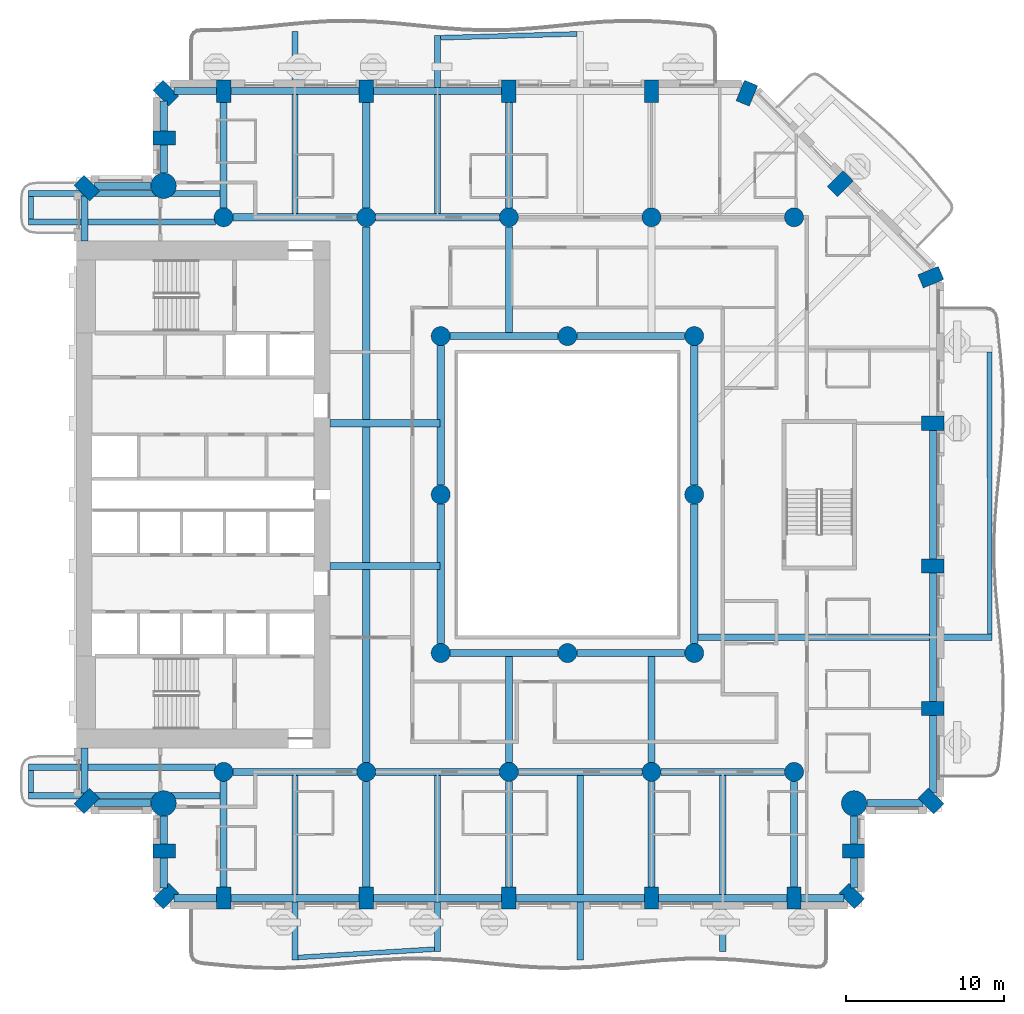
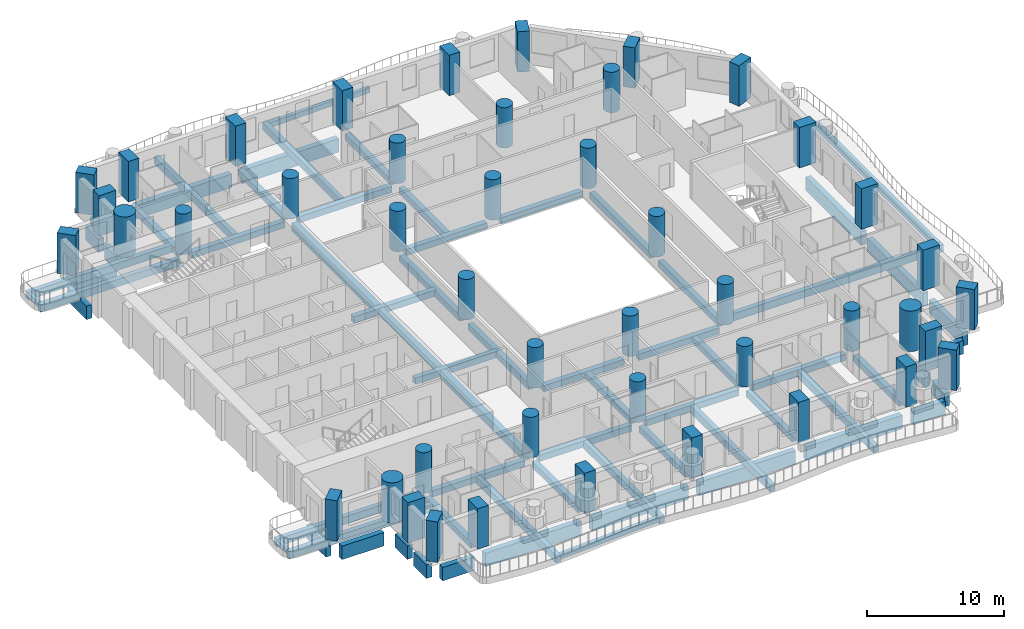
# One storey, part 1 of 20: 69 beams, 45 columns.
"""IFC4 building model written with IfcOpenShell, lengths in metres."""

from ifc_helpers import new_model, si_unit, direction, frame, origin, origin_2d, place, context, subcontext, project, spatial, rectangle, circle, extrude, material, material_profile, profile_set, type_object, element, save


model = new_model("IFC4")

# Units and contexts
model_context = context("Model", 3, precision=1e-05, world=origin(), true_north=direction((0.0, 1.0)))
body_context = subcontext(model_context, "Body", "Model", "MODEL_VIEW")
ifc_project = project(units=[si_unit("LENGTHUNIT", "METRE"), si_unit("AREAUNIT", "SQUARE_METRE"), si_unit("VOLUMEUNIT", "CUBIC_METRE"), si_unit("PLANEANGLEUNIT", "RADIAN"), si_unit("MASSUNIT", "GRAM", prefix="KILO")], contexts=[model_context])

# Site, building, storey
site_placement = place(None, origin())
site = spatial("IfcSite", under=ifc_project, at=site_placement, CompositionType="ELEMENT")
building_placement = place(site_placement, origin())
building = spatial("IfcBuilding", under=site, at=building_placement, Name="Cypress Arch Tower", CompositionType="ELEMENT")
storey_placement = place(building_placement, frame((0.0, 0.0, 91.5)))
storey = spatial("IfcBuildingStorey", under=building, at=storey_placement, Name="L17", CompositionType="ELEMENT", Elevation=91.5)

# Columns
ifc_material_1 = material(Name="Concrete C80/95", Category="concrete")
ifc_material_profile_1 = material_profile(ifc_material_1, rectangle(XDim=0.89990234375, YDim=1.39990234375, at=origin_2d()), Name="RC 900x1400")
ifc_profile_set_1 = profile_set([ifc_material_profile_1], Name="Concrete C80/95")
column_type_1 = type_object("IfcColumnType", Name="Column RC 900x1400 Concrete C80/95", PredefinedType="COLUMN", material=ifc_profile_set_1)
for number, where, z_axis, x_axis, name in (
    (1, (-29.3369140625, 19.3369140625, 0.0), (0.0, 0.0, 1.0), (-0.707106781187, -0.707106781187, 0.0), "Column L17 CA00"),
    (2, (-29.3369140625, -19.3369140625, 0.0), (0.0, 0.0, 1.0), (0.707106781187, -0.707106781187, 0.0), "Column L17 CA01"),
    (3, (-24.449951171875, -22.5, 0.0), (0.0, 0.0, 1.0), (0.0, -1.0, 0.0), "Column L17 CA03"),
    (4, (-24.3369140625, -25.3369140625, 0.0), (0.0, 0.0, 1.0), (0.707106781187, -0.707106781187, 0.0), "Column L17 CA04"),
    (5, (-20.699951171875, -25.449951171875, 0.0), (0.0, 0.0, 1.0), (1.0, 0.0, 0.0), "Column L17 CA05"),
    (6, (-11.699951171875, -25.449951171875, 0.0), (0.0, 0.0, 1.0), (1.0, 0.0, 0.0), "Column L17 CA06"),
    (7, (-2.699951171875, -25.449951171875, 0.0), (0.0, 0.0, 1.0), (1.0, 0.0, 0.0), "Column L17 CA07"),
    (8, (6.300048828125, -25.449951171875, 0.0), (0.0, 0.0, 1.0), (1.0, 0.0, 0.0), "Column L17 CA08"),
    (9, (15.300048828125, -25.449951171875, 0.0), (0.0, 0.0, 1.0), (1.0, 0.0, 0.0), "Column L17 CA09"),
    (10, (18.936767578125, -25.3369140625, 0.0), (0.0, 0.0, 1.0), (0.707106781187, 0.707106781187, 0.0), "Column L17 CA10"),
    (11, (19.050048828125, -22.5, 0.0), (0.0, 0.0, 1.0), (0.0, 1.0, 0.0), "Column L17 CA11"),
    (12, (23.936767578125, -19.3369140625, 0.0), (0.0, 0.0, 1.0), (0.707106781187, 0.707106781187, 0.0), "Column L17 CA13"),
    (13, (24.050048828125, -13.5, 0.0), (0.0, 0.0, 1.0), (0.0, 1.0, 0.0), "Column L17 CA14"),
    (14, (24.050048828125, -4.5, 0.0), (0.0, 0.0, 1.0), (0.0, 1.0, 0.0), "Column L17 CA15"),
    (15, (24.050048828125, 4.5, 0.0), (0.0, 0.0, 1.0), (0.0, 1.0, 0.0), "Column L17 CA16"),
    (16, (23.93115234375, 13.722900390625, 0.0), (0.0, 0.0, 1.0), (-0.382683496864, 0.923879505795, 0.0), "Column L17 CA17"),
    (17, (18.211181640625, 19.611083984375, 0.0), (0.0, 0.0, 1.0), (-0.707106781187, 0.707106781187, 0.0), "Column L17 CA18"),
    (18, (12.322998046875, 25.3310546875, 0.0), (0.0, 0.0, 1.0), (-0.923879505795, 0.382683496864, 0.0), "Column L17 CA19"),
    (19, (6.300048828125, 25.449951171875, 0.0), (0.0, 0.0, 1.0), (-1.0, 0.0, 0.0), "Column L17 CA20"),
    (20, (-2.699951171875, 25.449951171875, 0.0), (0.0, 0.0, 1.0), (-1.0, 0.0, 0.0), "Column L17 CA21"),
    (21, (-11.699951171875, 25.449951171875, 0.0), (0.0, 0.0, 1.0), (-1.0, 0.0, 0.0), "Column L17 CA22"),
    (22, (-20.699951171875, 25.449951171875, 0.0), (0.0, 0.0, 1.0), (-1.0, 0.0, 0.0), "Column L17 CA23"),
    (23, (-24.3369140625, 25.3369140625, 0.0), (0.0, 0.0, 1.0), (-0.707106781187, -0.707106781187, 0.0), "Column L17 CA24"),
    (24, (-24.449951171875, 22.5, 0.0), (0.0, 0.0, 1.0), (0.0, -1.0, 0.0), "Column L17 CA25"),
):
    element("IfcColumn", number, at=place(storey_placement, frame(where, z_axis=z_axis, x_axis=x_axis)), inside=storey, type_object=column_type_1, Name=name, PredefinedType="COLUMN", context=body_context, shape_type="SweptSolid", body=[
        extrude(rectangle(XDim=0.89990234375, YDim=1.39990234375, at=origin_2d()), origin(), (0.0, 0.0, 1.0), 3.60009765625),
    ])
ifc_material_2 = material(Name="Concrete C80/95", Category="concrete")
ifc_material_profile_2 = material_profile(ifc_material_2, circle(Radius=0.60009765625, at=origin_2d()), Name="RC D1200")
ifc_profile_set_2 = profile_set([ifc_material_profile_2], Name="Concrete C80/95")
column_type_2 = type_object("IfcColumnType", Name="Column RC D1200 Concrete C80/95", PredefinedType="COLUMN", material=ifc_profile_set_2)
for number, where, z_axis, x_axis, name in (
    (25, (-20.699951171875, -17.5, 0.0), (0.0, 0.0, 1.0), (1.0, 0.0, 0.0), "Column L17 CIC-L17-CI3S"),
    (26, (-11.699951171875, -17.5, 0.0), (0.0, 0.0, 1.0), (1.0, 0.0, 0.0), "Column L17 CIC-L17-CI4S"),
    (27, (-2.699951171875, -17.5, 0.0), (0.0, 0.0, 1.0), (1.0, 0.0, 0.0), "Column L17 CIC-L17-CI5S"),
    (28, (6.300048828125, -17.5, 0.0), (0.0, 0.0, 1.0), (1.0, 0.0, 0.0), "Column L17 CIC-L17-CI6S"),
    (29, (15.300048828125, -17.5, 0.0), (0.0, 0.0, 1.0), (1.0, 0.0, 0.0), "Column L17 CIC-L17-CI7S"),
    (30, (-20.699951171875, 17.5, 0.0), (0.0, 0.0, 1.0), (1.0, 0.0, 0.0), "Column L17 CIC-L17-CI3N"),
    (31, (-11.699951171875, 17.5, 0.0), (0.0, 0.0, 1.0), (1.0, 0.0, 0.0), "Column L17 CIC-L17-CI4N"),
    (32, (-2.699951171875, 17.5, 0.0), (0.0, 0.0, 1.0), (1.0, 0.0, 0.0), "Column L17 CIC-L17-CI5N"),
    (33, (6.300048828125, 17.5, 0.0), (0.0, 0.0, 1.0), (1.0, 0.0, 0.0), "Column L17 CIC-L17-CI6N"),
    (34, (15.300048828125, 17.5, 0.0), (0.0, 0.0, 1.0), (1.0, 0.0, 0.0), "Column L17 CIC-L17-CI7N"),
    (35, (-7.0, -10.0, 0.0), (0.0, 0.0, 1.0), (1.0, 0.0, 0.0), "Column L17 RNG-L17-G-7-10"),
    (36, (-7.0, 0.0, 0.0), (0.0, 0.0, 1.0), (1.0, 0.0, 0.0), "Column L17 RNG-L17-G-7+0"),
    (37, (-7.0, 10.0, 0.0), (0.0, 0.0, 1.0), (1.0, 0.0, 0.0), "Column L17 RNG-L17-G-7+10"),
    (38, (1.0, -10.0, 0.0), (0.0, 0.0, 1.0), (1.0, 0.0, 0.0), "Column L17 RNG-L17-G+1-10"),
    (39, (1.0, 10.0, 0.0), (0.0, 0.0, 1.0), (1.0, 0.0, 0.0), "Column L17 RNG-L17-G+1+10"),
    (40, (9.0, -10.0, 0.0), (0.0, 0.0, 1.0), (1.0, 0.0, 0.0), "Column L17 RNG-L17-G+9-10"),
    (41, (9.0, 0.0, 0.0), (0.0, 0.0, 1.0), (1.0, 0.0, 0.0), "Column L17 RNG-L17-G+9+0"),
    (42, (9.0, 10.0, 0.0), (0.0, 0.0, 1.0), (1.0, 0.0, 0.0), "Column L17 RNG-L17-G+9+10"),
):
    element("IfcColumn", number, at=place(storey_placement, frame(where, z_axis=z_axis, x_axis=x_axis)), inside=storey, type_object=column_type_2, Name=name, PredefinedType="COLUMN", context=body_context, shape_type="SweptSolid", body=[
        extrude(circle(Radius=0.60009765625, at=origin_2d()), origin(), (0.0, 0.0, 1.0), 3.60009765625),
    ])
ifc_material_3 = material(Name="Concrete C80/95", Category="concrete")
ifc_material_profile_3 = material_profile(ifc_material_3, circle(Radius=0.800048828125, at=origin_2d()), Name="RC D1600")
ifc_profile_set_3 = profile_set([ifc_material_profile_3], Name="Concrete C80/95")
column_type_3 = type_object("IfcColumnType", Name="Mega-column RC D1600 Concrete C80/95", PredefinedType="COLUMN", material=ifc_profile_set_3)
for number, where, z_axis, x_axis, name in (
    (43, (-24.48779296875, -19.48779296875, 0.0), (0.0, 0.0, 1.0), (1.0, 0.0, 0.0), "Column L17 CA02"),
    (44, (19.087890625, -19.48779296875, 0.0), (0.0, 0.0, 1.0), (1.0, 0.0, 0.0), "Column L17 CA12"),
    (45, (-24.48779296875, 19.48779296875, 0.0), (0.0, 0.0, 1.0), (1.0, 0.0, 0.0), "Column L17 CA26"),
):
    element("IfcColumn", number, at=place(storey_placement, frame(where, z_axis=z_axis, x_axis=x_axis)), inside=storey, type_object=column_type_3, Name=name, PredefinedType="COLUMN", context=body_context, shape_type="SweptSolid", body=[
        extrude(circle(Radius=0.800048828125, at=origin_2d()), origin(), (0.0, 0.0, 1.0), 3.60009765625),
    ])

# Beams
ifc_material_4 = material(Name="Concrete C50/60", Category="concrete")
ifc_material_profile_4 = material_profile(ifc_material_4, rectangle(XDim=0.300048828125, YDim=0.449951171875, at=origin_2d()), Name="RC 300x450")
ifc_profile_set_4 = profile_set([ifc_material_profile_4], Name="Concrete C50/60")
beam_type_1 = type_object("IfcBeamType", Name="Balcony edge beam RC 300x450 Concrete C50/60", PredefinedType="BEAM", material=ifc_profile_set_4)
beam_1_placement = place(storey_placement, frame((-16.0, -29.2109375, -0.52490234375), z_axis=(0.998164917235, 0.060554091527, 0.0), x_axis=(-0.060554091527, 0.998164917235, 0.0)))
element("IfcBeam", 46, at=beam_1_placement, inside=storey, type_object=beam_type_1, Name="Balcony edge beam L17 A03", PredefinedType="BEAM", context=body_context, shape_type="SweptSolid", body=[
    extrude(rectangle(XDim=0.300048828125, YDim=0.449951171875, at=origin_2d()), origin(), (0.0, 0.0, 1.0), 8.615966796875),
])
beam_2_placement = place(storey_placement, frame((1.60009765625, 29.07080078125, -0.52490234375), z_axis=(-0.999607696641, -0.02800808484, 0.0), x_axis=(0.02800808484, -0.999607696641, 0.0)))
element("IfcBeam", 47, at=beam_2_placement, inside=storey, type_object=beam_type_1, Name="Balcony edge beam L17 A08", PredefinedType="BEAM", context=body_context, shape_type="SweptSolid", body=[
    extrude(rectangle(XDim=0.300048828125, YDim=0.449951171875, at=origin_2d()), origin(), (0.0, 0.0, 1.0), 8.603515625),
])
ifc_material_5 = material(Name="Concrete C50/60", Category="concrete")
ifc_material_profile_5 = material_profile(ifc_material_5, rectangle(XDim=0.300048828125, YDim=0.64990234375, at=origin_2d()), Name="RC 300x650")
ifc_profile_set_5 = profile_set([ifc_material_profile_5], Name="Concrete C50/60")
beam_type_2 = type_object("IfcBeamType", Name="Balcony edge beam RC 300x650 Concrete C50/60", PredefinedType="BEAM", material=ifc_profile_set_5)
beam_3_placement = place(storey_placement, frame((27.6513671875, -8.800048828125, -0.625), z_axis=(-0.001070560333, 0.99999942695, 0.0), x_axis=(-0.99999942695, -0.001070560333, 0.0)))
element("IfcBeam", 48, at=beam_3_placement, inside=storey, type_object=beam_type_2, Name="Balcony edge beam L17 A06", PredefinedType="BEAM", context=body_context, shape_type="SweptSolid", body=[
    extrude(rectangle(XDim=0.300048828125, YDim=0.64990234375, at=origin_2d()), origin(), (0.0, 0.0, 1.0), 17.787841796875),
])
ifc_material_6 = material(Name="Concrete C50/60", Category="concrete")
ifc_material_profile_6 = material_profile(ifc_material_6, rectangle(XDim=0.300048828125, YDim=0.39990234375, at=origin_2d()), Name="RC 300x400")
ifc_profile_set_6 = profile_set([ifc_material_profile_6], Name="Concrete C50/60")
beam_type_3 = type_object("IfcBeamType", Name="Balcony stub beam RC 300x400 Concrete C50/60", PredefinedType="BEAM", material=ifc_profile_set_6)
for number, where, z_axis, x_axis, name in (
    (49, (-32.85009765625, 18.800048828125, -0.5), (0.0, -1.0, 0.0), (1.0, 0.0, 0.0), "Balcony stub beam L17 A00W0"),
    (50, (-32.85009765625, -17.39990234375, -0.5), (0.0, -1.0, 0.0), (1.0, 0.0, 0.0), "Balcony stub beam L17 A00W1"),
):
    element("IfcBeam", number, at=place(storey_placement, frame(where, z_axis=z_axis, x_axis=x_axis)), inside=storey, type_object=beam_type_3, Name=name, PredefinedType="BEAM", context=body_context, shape_type="SweptSolid", body=[
        extrude(rectangle(XDim=0.300048828125, YDim=0.39990234375, at=origin_2d()), origin(), (0.0, 0.0, 1.0), 1.400146484375),
    ])
ifc_material_7 = material(Name="Concrete C50/60", Category="concrete")
ifc_material_profile_7 = material_profile(ifc_material_7, rectangle(XDim=0.39990234375, YDim=0.64990234375, at=origin_2d()), Name="RC 400x650")
ifc_profile_set_7 = profile_set([ifc_material_profile_7], Name="Concrete C50/60")
beam_type_4 = type_object("IfcBeamType", Name="Cantilever beam RC 400x650 Concrete C50/60", PredefinedType="BEAM", material=ifc_profile_set_7)
beam_4_placement = place(storey_placement, frame((-20.925048828125, 19.0, -0.625), z_axis=(-1.0, 0.0, 0.0), x_axis=(0.0, -1.0, 0.0)))
element("IfcBeam", 51, at=beam_4_placement, inside=storey, type_object=beam_type_4, Name="Cantilever beam L17 A00 1", PredefinedType="BEAM", context=body_context, shape_type="SweptSolid", body=[
    extrude(rectangle(XDim=0.39990234375, YDim=0.64990234375, at=origin_2d()), origin(), (0.0, 0.0, 1.0), 12.074951171875),
])
for number, where, z_axis, x_axis, name in (
    (52, (-21.219482421875, 17.199951171875, -0.625), (-1.0, 0.0, 0.0), (0.0, -1.0, 0.0), "Cantilever beam L17 A00 2"),
    (53, (-21.219482421875, -17.199951171875, -0.625), (-1.0, 0.0, 0.0), (0.0, -1.0, 0.0), "Cantilever beam L17 A00 1"),
):
    element("IfcBeam", number, at=place(storey_placement, frame(where, z_axis=z_axis, x_axis=x_axis)), inside=storey, type_object=beam_type_4, Name=name, PredefinedType="BEAM", context=body_context, shape_type="SweptSolid", body=[
        extrude(rectangle(XDim=0.39990234375, YDim=0.64990234375, at=origin_2d()), origin(), (0.0, 0.0, 1.0), 11.780517578125),
    ])
beam_5_placement = place(storey_placement, frame((-20.925048828125, -19.0, -0.625), z_axis=(-1.0, 0.0, 0.0), x_axis=(0.0, -1.0, 0.0)))
element("IfcBeam", 54, at=beam_5_placement, inside=storey, type_object=beam_type_4, Name="Cantilever beam L17 A00 2", PredefinedType="BEAM", context=body_context, shape_type="SweptSolid", body=[
    extrude(rectangle(XDim=0.39990234375, YDim=0.64990234375, at=origin_2d()), origin(), (0.0, 0.0, 1.0), 12.074951171875),
])
beam_6_placement = place(storey_placement, frame((-16.199951171875, -17.72509765625, -0.625), z_axis=(0.0, -1.0, 0.0), x_axis=(1.0, 0.0, 0.0)))
element("IfcBeam", 55, at=beam_6_placement, inside=storey, type_object=beam_type_4, Name="Cantilever beam L17 A03 1", PredefinedType="BEAM", context=body_context, shape_type="SweptSolid", body=[
    extrude(rectangle(XDim=0.39990234375, YDim=0.64990234375, at=origin_2d()), origin(), (0.0, 0.0, 1.0), 11.635986328125),
])
beam_7_placement = place(storey_placement, frame((-7.199951171875, -17.72509765625, -0.625), z_axis=(0.0, -1.0, 0.0), x_axis=(1.0, 0.0, 0.0)))
element("IfcBeam", 56, at=beam_7_placement, inside=storey, type_object=beam_type_4, Name="Cantilever beam L17 A03 2", PredefinedType="BEAM", context=body_context, shape_type="SweptSolid", body=[
    extrude(rectangle(XDim=0.39990234375, YDim=0.64990234375, at=origin_2d()), origin(), (0.0, 0.0, 1.0), 11.1142578125),
])
beam_8_placement = place(storey_placement, frame((1.800048828125, -17.72509765625, -0.625), z_axis=(0.0, -1.0, 0.0), x_axis=(1.0, 0.0, 0.0)))
element("IfcBeam", 57, at=beam_8_placement, inside=storey, type_object=beam_type_4, Name="Cantilever beam L17 A03 3", PredefinedType="BEAM", context=body_context, shape_type="SweptSolid", body=[
    extrude(rectangle(XDim=0.39990234375, YDim=0.64990234375, at=origin_2d()), origin(), (0.0, 0.0, 1.0), 11.635498046875),
])
beam_9_placement = place(storey_placement, frame((10.800048828125, -17.72509765625, -0.625), z_axis=(0.0, -1.0, 0.0), x_axis=(1.0, 0.0, 0.0)))
element("IfcBeam", 58, at=beam_9_placement, inside=storey, type_object=beam_type_4, Name="Cantilever beam L17 A03 4", PredefinedType="BEAM", context=body_context, shape_type="SweptSolid", body=[
    extrude(rectangle(XDim=0.39990234375, YDim=0.64990234375, at=origin_2d()), origin(), (0.0, 0.0, 1.0), 11.114013671875),
])
beam_10_placement = place(storey_placement, frame((9.22509765625, -9.0, -0.625), z_axis=(1.0, 0.0, 0.0), x_axis=(0.0, 1.0, 0.0)))
element("IfcBeam", 59, at=beam_10_placement, inside=storey, type_object=beam_type_4, Name="Cantilever beam L17 A06 1", PredefinedType="BEAM", context=body_context, shape_type="SweptSolid", body=[
    extrude(rectangle(XDim=0.39990234375, YDim=0.64990234375, at=origin_2d()), origin(), (0.0, 0.0, 1.0), 18.576416015625),
])
beam_11_placement = place(storey_placement, frame((-7.199951171875, 17.72509765625, -0.625), z_axis=(0.0, 1.0, 0.0), x_axis=(-1.0, 0.0, 0.0)))
element("IfcBeam", 60, at=beam_11_placement, inside=storey, type_object=beam_type_4, Name="Cantilever beam L17 A08 2", PredefinedType="BEAM", context=body_context, shape_type="SweptSolid", body=[
    extrude(rectangle(XDim=0.39990234375, YDim=0.64990234375, at=origin_2d()), origin(), (0.0, 0.0, 1.0), 11.254638671875),
])
beam_12_placement = place(storey_placement, frame((-16.199951171875, 17.72509765625, -0.625), z_axis=(0.0, 1.0, 0.0), x_axis=(-1.0, 0.0, 0.0)))
element("IfcBeam", 61, at=beam_12_placement, inside=storey, type_object=beam_type_4, Name="Cantilever beam L17 A08 3", PredefinedType="BEAM", context=body_context, shape_type="SweptSolid", body=[
    extrude(rectangle(XDim=0.39990234375, YDim=0.64990234375, at=origin_2d()), origin(), (0.0, 0.0, 1.0), 11.4931640625),
])
ifc_material_8 = material(Name="Concrete C50/60", Category="concrete")
ifc_material_profile_8 = material_profile(ifc_material_8, rectangle(XDim=0.449951171875, YDim=0.550048828125, at=origin_2d()), Name="RC 450x550")
ifc_profile_set_8 = profile_set([ifc_material_profile_8], Name="Concrete C50/60")
beam_type_5 = type_object("IfcBeamType", Name="Floor beam RC 450x550 Concrete C50/60", PredefinedType="BEAM", material=ifc_profile_set_8)
for number, where, z_axis, x_axis, name in (
    (62, (-7.0, -9.39990234375, -0.574951171875), (0.0, 1.0, 0.0), (-1.0, 0.0, 0.0), "Floor beam L17 RB001"),
    (63, (-7.0, 0.60009765625, -0.574951171875), (0.0, 1.0, 0.0), (-1.0, 0.0, 0.0), "Floor beam L17 RB002"),
    (64, (9.0, -9.39990234375, -0.574951171875), (0.0, 1.0, 0.0), (-1.0, 0.0, 0.0), "Floor beam L17 RB003"),
    (65, (9.0, 0.60009765625, -0.574951171875), (0.0, 1.0, 0.0), (-1.0, 0.0, 0.0), "Floor beam L17 RB004"),
):
    element("IfcBeam", number, at=place(storey_placement, frame(where, z_axis=z_axis, x_axis=x_axis)), inside=storey, type_object=beam_type_5, Name=name, PredefinedType="BEAM", context=body_context, shape_type="SweptSolid", body=[
        extrude(rectangle(XDim=0.449951171875, YDim=0.550048828125, at=origin_2d()), origin(), (0.0, 0.0, 1.0), 8.7998046875),
    ])
for number, where, z_axis, x_axis, name in (
    (66, (-6.39990234375, -10.0, -0.574951171875), (1.0, 0.0, 0.0), (0.0, 1.0, 0.0), "Floor beam L17 RB005"),
    (67, (1.60009765625, -10.0, -0.574951171875), (1.0, 0.0, 0.0), (0.0, 1.0, 0.0), "Floor beam L17 RB006"),
    (68, (-6.39990234375, 10.0, -0.574951171875), (1.0, 0.0, 0.0), (0.0, 1.0, 0.0), "Floor beam L17 RB007"),
    (69, (1.60009765625, 10.0, -0.574951171875), (1.0, 0.0, 0.0), (0.0, 1.0, 0.0), "Floor beam L17 RB008"),
):
    element("IfcBeam", number, at=place(storey_placement, frame(where, z_axis=z_axis, x_axis=x_axis)), inside=storey, type_object=beam_type_5, Name=name, PredefinedType="BEAM", context=body_context, shape_type="SweptSolid", body=[
        extrude(rectangle(XDim=0.449951171875, YDim=0.550048828125, at=origin_2d()), origin(), (0.0, 0.0, 1.0), 6.7998046875),
    ])
for number, where, z_axis, x_axis, name in (
    (70, (-20.10009765625, -17.5, -0.574951171875), (1.0, 0.0, 0.0), (0.0, 1.0, 0.0), "Floor beam L17 FB009"),
    (71, (-11.10009765625, -17.5, -0.574951171875), (1.0, 0.0, 0.0), (0.0, 1.0, 0.0), "Floor beam L17 FB010"),
    (72, (-2.10009765625, -17.5, -0.574951171875), (1.0, 0.0, 0.0), (0.0, 1.0, 0.0), "Floor beam L17 FB011"),
    (73, (6.89990234375, -17.5, -0.574951171875), (1.0, 0.0, 0.0), (0.0, 1.0, 0.0), "Floor beam L17 FB012"),
):
    element("IfcBeam", number, at=place(storey_placement, frame(where, z_axis=z_axis, x_axis=x_axis)), inside=storey, type_object=beam_type_5, Name=name, PredefinedType="BEAM", context=body_context, shape_type="SweptSolid", body=[
        extrude(rectangle(XDim=0.449951171875, YDim=0.550048828125, at=origin_2d()), origin(), (0.0, 0.0, 1.0), 7.800048828125),
    ])
for number, where, z_axis, x_axis, name in (
    (74, (-14.0, -4.5, -0.574951171875), (1.0, 0.0, 0.0), (0.0, 1.0, 0.0), "Floor beam L17 FB013"),
    (75, (-14.0, 4.5, -0.574951171875), (1.0, 0.0, 0.0), (0.0, 1.0, 0.0), "Floor beam L17 FB014"),
):
    element("IfcBeam", number, at=place(storey_placement, frame(where, z_axis=z_axis, x_axis=x_axis)), inside=storey, type_object=beam_type_5, Name=name, PredefinedType="BEAM", context=body_context, shape_type="SweptSolid", body=[
        extrude(rectangle(XDim=0.449951171875, YDim=0.550048828125, at=origin_2d()), origin(), (0.0, 0.0, 1.0), 6.949951171875),
    ])
for number, where, z_axis, x_axis, name in (
    (76, (-20.10009765625, 17.5, -0.574951171875), (1.0, 0.0, 0.0), (0.0, 1.0, 0.0), "Floor beam L17 FB015"),
    (77, (-11.10009765625, 17.5, -0.574951171875), (1.0, 0.0, 0.0), (0.0, 1.0, 0.0), "Floor beam L17 FB016"),
):
    element("IfcBeam", number, at=place(storey_placement, frame(where, z_axis=z_axis, x_axis=x_axis)), inside=storey, type_object=beam_type_5, Name=name, PredefinedType="BEAM", context=body_context, shape_type="SweptSolid", body=[
        extrude(rectangle(XDim=0.449951171875, YDim=0.550048828125, at=origin_2d()), origin(), (0.0, 0.0, 1.0), 7.800048828125),
    ])
for number, where, z_axis, x_axis, name in (
    (78, (-20.699951171875, -24.75, -0.574951171875), (0.0, 1.0, 0.0), (-1.0, 0.0, 0.0), "Floor beam L17 FB019"),
    (79, (-20.699951171875, 18.10009765625, -0.574951171875), (0.0, 1.0, 0.0), (-1.0, 0.0, 0.0), "Floor beam L17 FB020"),
    (80, (-11.699951171875, -24.75, -0.574951171875), (0.0, 1.0, 0.0), (-1.0, 0.0, 0.0), "Floor beam L17 FB021"),
):
    element("IfcBeam", number, at=place(storey_placement, frame(where, z_axis=z_axis, x_axis=x_axis)), inside=storey, type_object=beam_type_5, Name=name, PredefinedType="BEAM", context=body_context, shape_type="SweptSolid", body=[
        extrude(rectangle(XDim=0.449951171875, YDim=0.550048828125, at=origin_2d()), origin(), (0.0, 0.0, 1.0), 6.64990234375),
    ])
beam_13_placement = place(storey_placement, frame((-11.699951171875, -4.27490234375, -0.574951171875), z_axis=(0.0, 1.0, 0.0), x_axis=(-1.0, 0.0, 0.0)))
element("IfcBeam", 81, at=beam_13_placement, inside=storey, type_object=beam_type_5, Name="Floor beam L17 FB023", PredefinedType="BEAM", context=body_context, shape_type="SweptSolid", body=[
    extrude(rectangle(XDim=0.449951171875, YDim=0.550048828125, at=origin_2d()), origin(), (0.0, 0.0, 1.0), 8.5498046875),
])
for number, where, z_axis, x_axis, name in (
    (82, (-11.699951171875, 18.10009765625, -0.574951171875), (0.0, 1.0, 0.0), (-1.0, 0.0, 0.0), "Floor beam L17 FB025"),
    (83, (-2.699951171875, -24.75, -0.574951171875), (0.0, 1.0, 0.0), (-1.0, 0.0, 0.0), "Floor beam L17 FB026"),
):
    element("IfcBeam", number, at=place(storey_placement, frame(where, z_axis=z_axis, x_axis=x_axis)), inside=storey, type_object=beam_type_5, Name=name, PredefinedType="BEAM", context=body_context, shape_type="SweptSolid", body=[
        extrude(rectangle(XDim=0.449951171875, YDim=0.550048828125, at=origin_2d()), origin(), (0.0, 0.0, 1.0), 6.64990234375),
    ])
for number, where, z_axis, x_axis, name in (
    (84, (-2.699951171875, -16.89990234375, -0.574951171875), (0.0, 1.0, 0.0), (-1.0, 0.0, 0.0), "Floor beam L17 FB027"),
    (85, (-2.699951171875, 10.22509765625, -0.574951171875), (0.0, 1.0, 0.0), (-1.0, 0.0, 0.0), "Floor beam L17 FB028"),
):
    element("IfcBeam", number, at=place(storey_placement, frame(where, z_axis=z_axis, x_axis=x_axis)), inside=storey, type_object=beam_type_5, Name=name, PredefinedType="BEAM", context=body_context, shape_type="SweptSolid", body=[
        extrude(rectangle(XDim=0.449951171875, YDim=0.550048828125, at=origin_2d()), origin(), (0.0, 0.0, 1.0), 6.6748046875),
    ])
for number, where, z_axis, x_axis, name in (
    (86, (-2.699951171875, 18.10009765625, -0.574951171875), (0.0, 1.0, 0.0), (-1.0, 0.0, 0.0), "Floor beam L17 FB029"),
    (87, (6.300048828125, -24.75, -0.574951171875), (0.0, 1.0, 0.0), (-1.0, 0.0, 0.0), "Floor beam L17 FB030"),
):
    element("IfcBeam", number, at=place(storey_placement, frame(where, z_axis=z_axis, x_axis=x_axis)), inside=storey, type_object=beam_type_5, Name=name, PredefinedType="BEAM", context=body_context, shape_type="SweptSolid", body=[
        extrude(rectangle(XDim=0.449951171875, YDim=0.550048828125, at=origin_2d()), origin(), (0.0, 0.0, 1.0), 6.64990234375),
    ])
beam_14_placement = place(storey_placement, frame((6.300048828125, -16.89990234375, -0.574951171875), z_axis=(0.0, 1.0, 0.0), x_axis=(-1.0, 0.0, 0.0)))
element("IfcBeam", 88, at=beam_14_placement, inside=storey, type_object=beam_type_5, Name="Floor beam L17 FB031", PredefinedType="BEAM", context=body_context, shape_type="SweptSolid", body=[
    extrude(rectangle(XDim=0.449951171875, YDim=0.550048828125, at=origin_2d()), origin(), (0.0, 0.0, 1.0), 6.6748046875),
])
beam_15_placement = place(storey_placement, frame((15.300048828125, -24.75, -0.574951171875), z_axis=(0.0, 1.0, 0.0), x_axis=(-1.0, 0.0, 0.0)))
element("IfcBeam", 89, at=beam_15_placement, inside=storey, type_object=beam_type_5, Name="Floor beam L17 FB034", PredefinedType="BEAM", context=body_context, shape_type="SweptSolid", body=[
    extrude(rectangle(XDim=0.449951171875, YDim=0.550048828125, at=origin_2d()), origin(), (0.0, 0.0, 1.0), 6.64990234375),
])
ifc_material_9 = material(Name="Concrete C50/60", Category="concrete")
ifc_material_profile_9 = material_profile(ifc_material_9, rectangle(XDim=0.5, YDim=0.699951171875, at=origin_2d()), Name="RC 500x700")
ifc_profile_set_9 = profile_set([ifc_material_profile_9], Name="Concrete C50/60")
beam_type_6 = type_object("IfcBeamType", Name="Floor beam RC 500x700 Concrete C50/60", PredefinedType="BEAM", material=ifc_profile_set_9)
for number, where, z_axis, x_axis, name in (
    (90, (-11.699951171875, -16.89990234375, -0.64990234375), (0.0, 1.0, 0.0), (-1.0, 0.0, 0.0), "Floor beam L17 FB022"),
    (91, (-11.699951171875, 4.72509765625, -0.64990234375), (0.0, 1.0, 0.0), (-1.0, 0.0, 0.0), "Floor beam L17 FB024"),
):
    element("IfcBeam", number, at=place(storey_placement, frame(where, z_axis=z_axis, x_axis=x_axis)), inside=storey, type_object=beam_type_6, Name=name, PredefinedType="BEAM", context=body_context, shape_type="SweptSolid", body=[
        extrude(rectangle(XDim=0.5, YDim=0.699951171875, at=origin_2d()), origin(), (0.0, 0.0, 1.0), 12.1748046875),
    ])
ifc_material_10 = material(Name="Concrete C50/60", Category="concrete")
ifc_material_profile_10 = material_profile(ifc_material_10, rectangle(XDim=0.449951171875, YDim=1.199951171875, at=origin_2d()), Name="RC 450x1200")
ifc_profile_set_10 = profile_set([ifc_material_profile_10], Name="Concrete C50/60")
beam_type_7 = type_object("IfcBeamType", Name="Spandrel beam RC 450x1200 Concrete C50/60", PredefinedType="SPANDREL", material=ifc_profile_set_10)
for number, where, z_axis, x_axis, name in (
    (92, (-29.47509765625, 18.838623046875, -1.550048828125), (0.0, -1.0, 0.0), (1.0, 0.0, 0.0), "Spandrel beam L17 BA00-0"),
    (93, (-29.47509765625, -16.0, -1.550048828125), (0.0, -1.0, 0.0), (1.0, 0.0, 0.0), "Spandrel beam L17 BA00-0"),
):
    element("IfcBeam", number, at=place(storey_placement, frame(where, z_axis=z_axis, x_axis=x_axis)), inside=storey, type_object=beam_type_7, Name=name, PredefinedType="SPANDREL", context=body_context, shape_type="SweptSolid", body=[
        extrude(rectangle(XDim=0.449951171875, YDim=1.199951171875, at=origin_2d()), origin(), (0.0, 0.0, 1.0), 2.838623046875),
    ])
beam_16_placement = place(storey_placement, frame((-28.838623046875, -19.47509765625, -1.550048828125), z_axis=(1.0, 0.0, 0.0), x_axis=(0.0, 1.0, 0.0)))
element("IfcBeam", 94, at=beam_16_placement, inside=storey, type_object=beam_type_7, Name="Spandrel beam L17 BA01-0", PredefinedType="SPANDREL", context=body_context, shape_type="SweptSolid", body=[
    extrude(rectangle(XDim=0.449951171875, YDim=1.199951171875, at=origin_2d()), origin(), (0.0, 0.0, 1.0), 3.551025390625),
])
beam_17_placement = place(storey_placement, frame((-24.47509765625, -20.28759765625, -1.550048828125), z_axis=(0.0, -1.0, 0.0), x_axis=(1.0, 0.0, 0.0)))
element("IfcBeam", 95, at=beam_17_placement, inside=storey, type_object=beam_type_7, Name="Spandrel beam L17 BA02-0", PredefinedType="SPANDREL", context=body_context, shape_type="SweptSolid", body=[
    extrude(rectangle(XDim=0.449951171875, YDim=1.199951171875, at=origin_2d()), origin(), (0.0, 0.0, 1.0), 1.762451171875),
])
beam_18_placement = place(storey_placement, frame((-24.47509765625, -22.949951171875, -1.550048828125), z_axis=(0.0, -1.0, 0.0), x_axis=(1.0, 0.0, 0.0)))
element("IfcBeam", 96, at=beam_18_placement, inside=storey, type_object=beam_type_7, Name="Spandrel beam L17 BA02-1", PredefinedType="SPANDREL", context=body_context, shape_type="SweptSolid", body=[
    extrude(rectangle(XDim=0.449951171875, YDim=1.199951171875, at=origin_2d()), origin(), (0.0, 0.0, 1.0), 1.888671875),
])
beam_19_placement = place(storey_placement, frame((-23.838623046875, -25.47509765625, -1.550048828125), z_axis=(1.0, 0.0, 0.0), x_axis=(0.0, 1.0, 0.0)))
element("IfcBeam", 97, at=beam_19_placement, inside=storey, type_object=beam_type_7, Name="Spandrel beam L17 BA03-0", PredefinedType="SPANDREL", context=body_context, shape_type="SweptSolid", body=[
    extrude(rectangle(XDim=0.449951171875, YDim=1.199951171875, at=origin_2d()), origin(), (0.0, 0.0, 1.0), 2.688720703125),
])
for number, where, z_axis, x_axis, name in (
    (98, (-20.25, -25.47509765625, -1.550048828125), (1.0, 0.0, 0.0), (0.0, 1.0, 0.0), "Spandrel beam L17 BA03-1"),
    (99, (-11.25, -25.47509765625, -1.550048828125), (1.0, 0.0, 0.0), (0.0, 1.0, 0.0), "Spandrel beam L17 BA03-2"),
    (100, (-2.25, -25.47509765625, -1.550048828125), (1.0, 0.0, 0.0), (0.0, 1.0, 0.0), "Spandrel beam L17 BA03-3"),
    (101, (6.75, -25.47509765625, -1.550048828125), (1.0, 0.0, 0.0), (0.0, 1.0, 0.0), "Spandrel beam L17 BA03-4"),
):
    element("IfcBeam", number, at=place(storey_placement, frame(where, z_axis=z_axis, x_axis=x_axis)), inside=storey, type_object=beam_type_7, Name=name, PredefinedType="SPANDREL", context=body_context, shape_type="SweptSolid", body=[
        extrude(rectangle(XDim=0.449951171875, YDim=1.199951171875, at=origin_2d()), origin(), (0.0, 0.0, 1.0), 8.10009765625),
    ])
beam_20_placement = place(storey_placement, frame((15.75, -25.47509765625, -1.550048828125), z_axis=(1.0, 0.0, 0.0), x_axis=(0.0, 1.0, 0.0)))
element("IfcBeam", 102, at=beam_20_placement, inside=storey, type_object=beam_type_7, Name="Spandrel beam L17 BA03-5", PredefinedType="SPANDREL", context=body_context, shape_type="SweptSolid", body=[
    extrude(rectangle(XDim=0.449951171875, YDim=1.199951171875, at=origin_2d()), origin(), (0.0, 0.0, 1.0), 2.688720703125),
])
beam_21_placement = place(storey_placement, frame((19.074951171875, -24.838623046875, -1.550048828125), z_axis=(0.0, 1.0, 0.0), x_axis=(-1.0, 0.0, 0.0)))
element("IfcBeam", 103, at=beam_21_placement, inside=storey, type_object=beam_type_7, Name="Spandrel beam L17 BA04-0", PredefinedType="SPANDREL", context=body_context, shape_type="SweptSolid", body=[
    extrude(rectangle(XDim=0.449951171875, YDim=1.199951171875, at=origin_2d()), origin(), (0.0, 0.0, 1.0), 1.888671875),
])
beam_22_placement = place(storey_placement, frame((19.074951171875, -22.050048828125, -1.550048828125), z_axis=(0.0, 1.0, 0.0), x_axis=(-1.0, 0.0, 0.0)))
element("IfcBeam", 104, at=beam_22_placement, inside=storey, type_object=beam_type_7, Name="Spandrel beam L17 BA04-1", PredefinedType="SPANDREL", context=body_context, shape_type="SweptSolid", body=[
    extrude(rectangle(XDim=0.449951171875, YDim=1.199951171875, at=origin_2d()), origin(), (0.0, 0.0, 1.0), 1.762451171875),
])
beam_23_placement = place(storey_placement, frame((19.887451171875, -19.47509765625, -1.550048828125), z_axis=(1.0, 0.0, 0.0), x_axis=(0.0, 1.0, 0.0)))
element("IfcBeam", 105, at=beam_23_placement, inside=storey, type_object=beam_type_7, Name="Spandrel beam L17 BA05-0", PredefinedType="SPANDREL", context=body_context, shape_type="SweptSolid", body=[
    extrude(rectangle(XDim=0.449951171875, YDim=1.199951171875, at=origin_2d()), origin(), (0.0, 0.0, 1.0), 3.55126953125),
])
beam_24_placement = place(storey_placement, frame((24.074951171875, -18.838623046875, -1.550048828125), z_axis=(0.0, 1.0, 0.0), x_axis=(-1.0, 0.0, 0.0)))
element("IfcBeam", 106, at=beam_24_placement, inside=storey, type_object=beam_type_7, Name="Spandrel beam L17 BA06-0", PredefinedType="SPANDREL", context=body_context, shape_type="SweptSolid", body=[
    extrude(rectangle(XDim=0.449951171875, YDim=1.199951171875, at=origin_2d()), origin(), (0.0, 0.0, 1.0), 4.888671875),
])
for number, where, z_axis, x_axis, name in (
    (107, (24.074951171875, -13.050048828125, -1.550048828125), (0.0, 1.0, 0.0), (-1.0, 0.0, 0.0), "Spandrel beam L17 BA06-1"),
    (108, (24.074951171875, -4.050048828125, -1.550048828125), (0.0, 1.0, 0.0), (-1.0, 0.0, 0.0), "Spandrel beam L17 BA06-2"),
    (109, (-3.14990234375, 25.47509765625, -1.550048828125), (-1.0, 0.0, 0.0), (0.0, -1.0, 0.0), "Spandrel beam L17 BA08-2"),
    (110, (-12.14990234375, 25.47509765625, -1.550048828125), (-1.0, 0.0, 0.0), (0.0, -1.0, 0.0), "Spandrel beam L17 BA08-3"),
):
    element("IfcBeam", number, at=place(storey_placement, frame(where, z_axis=z_axis, x_axis=x_axis)), inside=storey, type_object=beam_type_7, Name=name, PredefinedType="SPANDREL", context=body_context, shape_type="SweptSolid", body=[
        extrude(rectangle(XDim=0.449951171875, YDim=1.199951171875, at=origin_2d()), origin(), (0.0, 0.0, 1.0), 8.10009765625),
    ])
beam_25_placement = place(storey_placement, frame((-21.14990234375, 25.47509765625, -1.550048828125), z_axis=(-1.0, 0.0, 0.0), x_axis=(0.0, -1.0, 0.0)))
element("IfcBeam", 111, at=beam_25_placement, inside=storey, type_object=beam_type_7, Name="Spandrel beam L17 BA08-4", PredefinedType="SPANDREL", context=body_context, shape_type="SweptSolid", body=[
    extrude(rectangle(XDim=0.449951171875, YDim=1.199951171875, at=origin_2d()), origin(), (0.0, 0.0, 1.0), 2.688720703125),
])
beam_26_placement = place(storey_placement, frame((-24.47509765625, 24.838623046875, -1.550048828125), z_axis=(0.0, -1.0, 0.0), x_axis=(1.0, 0.0, 0.0)))
element("IfcBeam", 112, at=beam_26_placement, inside=storey, type_object=beam_type_7, Name="Spandrel beam L17 BA09-0", PredefinedType="SPANDREL", context=body_context, shape_type="SweptSolid", body=[
    extrude(rectangle(XDim=0.449951171875, YDim=1.199951171875, at=origin_2d()), origin(), (0.0, 0.0, 1.0), 1.888671875),
])
beam_27_placement = place(storey_placement, frame((-24.47509765625, 22.050048828125, -1.550048828125), z_axis=(0.0, -1.0, 0.0), x_axis=(1.0, 0.0, 0.0)))
element("IfcBeam", 113, at=beam_27_placement, inside=storey, type_object=beam_type_7, Name="Spandrel beam L17 BA09-1", PredefinedType="SPANDREL", context=body_context, shape_type="SweptSolid", body=[
    extrude(rectangle(XDim=0.449951171875, YDim=1.199951171875, at=origin_2d()), origin(), (0.0, 0.0, 1.0), 1.762451171875),
])
beam_28_placement = place(storey_placement, frame((-25.28759765625, 19.47509765625, -1.550048828125), z_axis=(-1.0, 0.0, 0.0), x_axis=(0.0, -1.0, 0.0)))
element("IfcBeam", 114, at=beam_28_placement, inside=storey, type_object=beam_type_7, Name="Spandrel beam L17 BA10-0", PredefinedType="SPANDREL", context=body_context, shape_type="SweptSolid", body=[
    extrude(rectangle(XDim=0.449951171875, YDim=1.199951171875, at=origin_2d()), origin(), (0.0, 0.0, 1.0), 3.551025390625),
])

save(model, "model.ifc")
